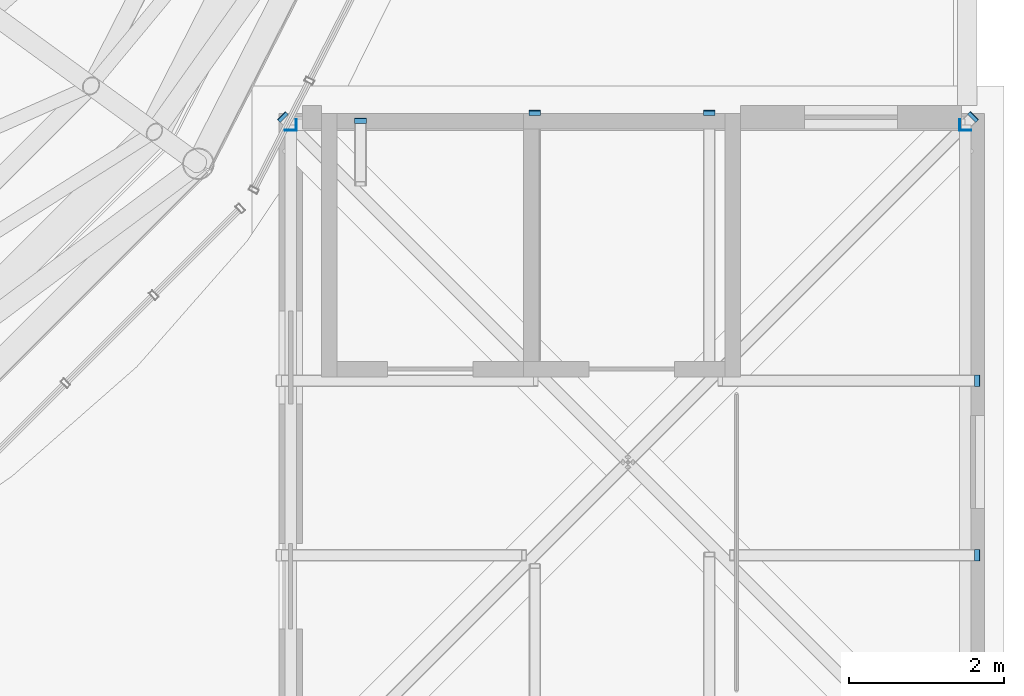
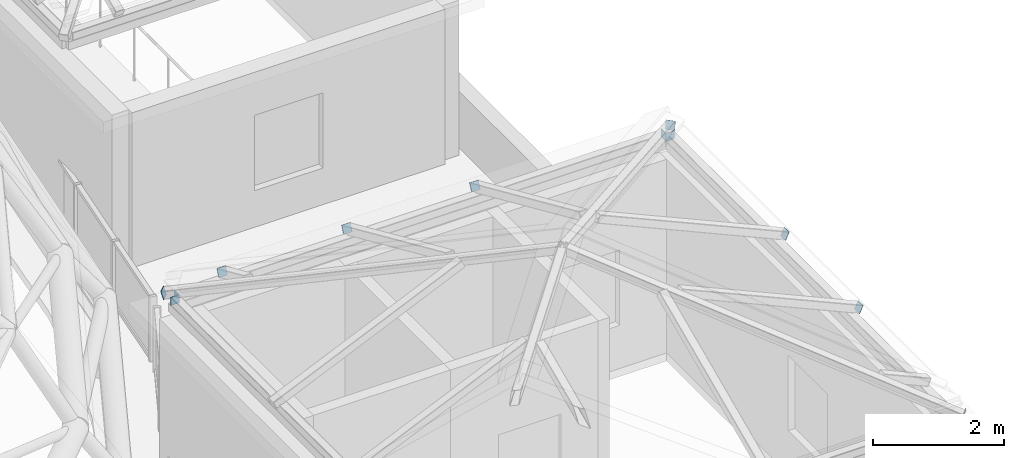
# One storey, part 63 of 69: 11 discrete accessories.
"""IFC4 building model written with IfcOpenShell, lengths in metres."""

from ifc_helpers import new_model, si_unit, direction, frame, origin, origin_2d, place, context, subcontext, project, spatial, rectangle, extrude, material, material_profile, profile_set, type_object, element, save


model = new_model("IFC4")

# Units and contexts
model_context = context("Model", 3, precision=1e-05, world=origin(), true_north=direction((0.0, 1.0)))
body_context = subcontext(model_context, "Body", "Model", "MODEL_VIEW")
ifc_project = project(units=[si_unit("LENGTHUNIT", "METRE"), si_unit("AREAUNIT", "SQUARE_METRE"), si_unit("VOLUMEUNIT", "CUBIC_METRE"), si_unit("PLANEANGLEUNIT", "RADIAN"), si_unit("MASSUNIT", "GRAM", prefix="KILO")], contexts=[model_context])

# Site, building, storey
site_placement = place(None, origin())
site = spatial("IfcSite", under=ifc_project, at=site_placement, CompositionType="ELEMENT")
building_placement = place(site_placement, origin())
building = spatial("IfcBuilding", under=site, at=building_placement, Name="Kallimachos Central Library", CompositionType="ELEMENT")
storey_placement = place(building_placement, frame((0.0, 0.0, 23.39990234375)))
storey = spatial("IfcBuildingStorey", under=building, at=storey_placement, Name="L05", CompositionType="ELEMENT", Elevation=23.39990234375)

# Discrete accessories
ifc_material = material(Name="Steel S355J2", Category="steel")
ifc_material_profile = material_profile(ifc_material, rectangle(XDim=0.14990234375, YDim=0.14990234375, at=origin_2d()), Name="End cap plate 10, 150x150")
ifc_profile_set = profile_set([ifc_material_profile], Name="Steel S355J2")
discrete_accessory_type = type_object("IfcDiscreteAccessoryType", Name="End cap plate 10, 150x150", PredefinedType="BRACKET", material=ifc_profile_set)
for number, where, z_axis, x_axis, name in (
    (1, (101.715087890625, 95.85009765625, 4.025146484375), (1.0, 0.0, 0.0), (0.0, 1.0, 0.0), "End cap plate"),
    (2, (110.27490234375, 95.85009765625, 4.025146484375), (1.0, 0.0, 0.0), (0.0, 1.0, 0.0), "End cap plate"),
    (3, (101.64990234375, 95.77490234375, 4.025146484375), (0.0, 1.0, 0.0), (-1.0, 0.0, 0.0), "End cap plate"),
    (4, (110.35009765625, 95.77490234375, 4.025146484375), (0.0, 1.0, 0.0), (-1.0, 0.0, 0.0), "End cap plate"),
):
    element("IfcDiscreteAccessory", number, at=place(storey_placement, frame(where, z_axis=z_axis, x_axis=x_axis)), inside=storey, type_object=discrete_accessory_type, Name=name, PredefinedType="BRACKET", context=body_context, shape_type="SweptSolid", body=[
        extrude(rectangle(XDim=0.14990234375, YDim=0.14990234375, at=origin_2d()), origin(), (0.0, 0.0, 1.0), 0.010009765625),
    ])
discrete_accessory_placement = place(storey_placement, frame((102.550048828125, 95.9091796875, 4.15576171875), z_axis=(0.0, -0.912818251895, 0.408366060058), x_axis=(1.0, 0.0, 0.0)))
element("IfcDiscreteAccessory", 5, at=discrete_accessory_placement, inside=storey, type_object=discrete_accessory_type, Name="End cap plate", PredefinedType="BRACKET", context=body_context, shape_type="SweptSolid", body=[
    extrude(rectangle(XDim=0.14990234375, YDim=0.14990234375, at=origin_2d()), origin(), (0.0, 0.0, 1.0), 0.01025390625),
])
for number, where, z_axis, x_axis, name in (
    (6, (104.800048828125, 96.009033203125, 4.111328125), (0.0, -0.908676843963, 0.417500171551), (1.0, 0.0, 0.0), "End cap plate"),
    (7, (107.050048828125, 96.009033203125, 4.111328125), (0.0, -0.908676843963, 0.417500171551), (1.0, 0.0, 0.0), "End cap plate"),
    (8, (110.509033203125, 90.300048828125, 4.111328125), (-0.908676843963, 0.0, 0.417500171551), (0.0, -1.0, 0.0), "End cap plate"),
    (9, (110.509033203125, 92.550048828125, 4.111328125), (-0.908676843963, 0.0, 0.417500171551), (0.0, -1.0, 0.0), "End cap plate"),
    (10, (101.543212890625, 95.956787109375, 4.08447265625), (0.676715542332, -0.676715542332, 0.290020946714), (0.707106781187, 0.707106781187, 0.0), "End cap plate"),
    (11, (110.456787109375, 95.956787109375, 4.08447265625), (-0.676715542332, -0.676715542332, 0.290020946714), (0.707106781187, -0.707106781187, 0.0), "End cap plate"),
):
    element("IfcDiscreteAccessory", number, at=place(storey_placement, frame(where, z_axis=z_axis, x_axis=x_axis)), inside=storey, type_object=discrete_accessory_type, Name=name, PredefinedType="BRACKET", context=body_context, shape_type="SweptSolid", body=[
        extrude(rectangle(XDim=0.14990234375, YDim=0.14990234375, at=origin_2d()), origin(), (0.0, 0.0, 1.0), 0.010009765625),
    ])

save(model, "model.ifc")
